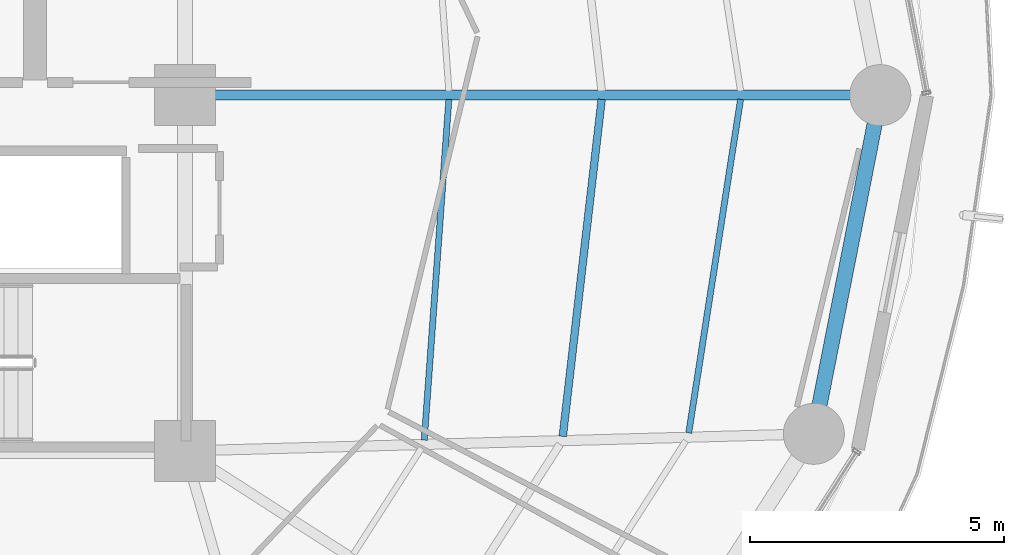
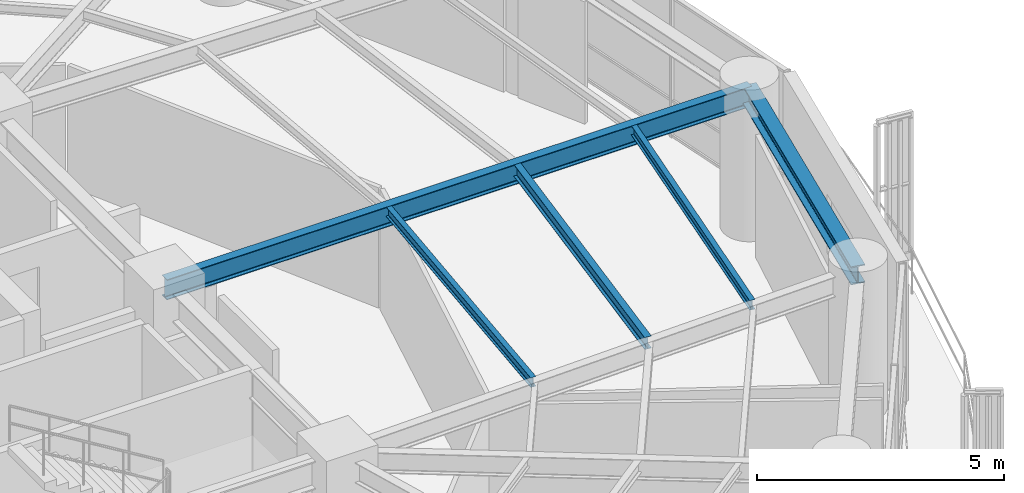
# One storey, part 12 of 28: 5 beams.
"""IFC4 building model written with IfcOpenShell, lengths in metres."""

from ifc_helpers import new_model, si_unit, direction, frame, origin, origin_2d, place, context, subcontext, project, spatial, i_section, extrude, material, material_profile, profile_set, type_object, element, save


model = new_model("IFC4")

# Units and contexts
model_context = context("Model", 3, precision=1e-05, world=origin(), true_north=direction((0.0, 1.0)))
body_context = subcontext(model_context, "Body", "Model", "MODEL_VIEW")
ifc_project = project(units=[si_unit("LENGTHUNIT", "METRE"), si_unit("AREAUNIT", "SQUARE_METRE"), si_unit("VOLUMEUNIT", "CUBIC_METRE"), si_unit("PLANEANGLEUNIT", "RADIAN"), si_unit("MASSUNIT", "GRAM", prefix="KILO")], contexts=[model_context])

# Site, building, storey
site_placement = place(None, origin())
site = spatial("IfcSite", under=ifc_project, at=site_placement, CompositionType="ELEMENT")
building_placement = place(site_placement, origin())
building = spatial("IfcBuilding", under=site, at=building_placement, Name="Kelanora Arch Commons", CompositionType="ELEMENT")
storey_placement = place(building_placement, frame((0.0, 0.0, 139.35009765625)))
storey = spatial("IfcBuildingStorey", under=building, at=storey_placement, Name="L35", CompositionType="ELEMENT", Elevation=139.35009765625)

# Beams
ifc_material = material(Name="Steel S355", Category="steel")
ifc_material_profile_1 = material_profile(ifc_material, i_section(OverallWidth=0.14990234375, OverallDepth=0.300048828125, WebThickness=0.007080078125, FlangeThickness=0.0107421875, FilletRadius=0.014892578125, at=origin_2d()), Name="IPE300")
ifc_profile_set_1 = profile_set([ifc_material_profile_1], Name="Steel S355")
beam_type_1 = type_object("IfcBeamType", Name="BM-JST-01", PredefinedType="JOIST", material=ifc_profile_set_1)
beam_1_placement = place(storey_placement, frame((89.43310546875, 51.286865234375, 3.33984375), z_axis=(0.114667159005, 0.9934039675, 0.0), x_axis=(-0.9934039675, 0.114667159005, 0.0)))
element("IfcBeam", 1, at=beam_1_placement, inside=storey, type_object=beam_type_1, Name="Secondary Chord Joist BJB-34 L35", PredefinedType="JOIST", context=body_context, shape_type="SweptSolid", body=[
    extrude(i_section(OverallWidth=0.14990234375, OverallDepth=0.300048828125, WebThickness=0.007080078125, FlangeThickness=0.0107421875, FilletRadius=0.014892578125, at=origin_2d()), origin(), (0.0, 0.0, 1.0), 6.672607421875),
])
ifc_material_profile_2 = material_profile(ifc_material, i_section(OverallWidth=0.1201171875, OverallDepth=0.239990234375, WebThickness=0.006103515625, FlangeThickness=0.009765625, FilletRadius=0.014892578125, at=origin_2d()), Name="IPE240")
ifc_profile_set_2 = profile_set([ifc_material_profile_2], Name="Steel S355")
beam_type_2 = type_object("IfcBeamType", Name="BM-JST-02", PredefinedType="JOIST", material=ifc_profile_set_2)
beam_2_placement = place(storey_placement, frame((86.707763671875, 51.212890625, 3.369873046875), z_axis=(0.072117123738, 0.997396170267, 0.0), x_axis=(-0.997396170267, 0.072117123738, 0.0)))
element("IfcBeam", 2, at=beam_2_placement, inside=storey, type_object=beam_type_2, Name="Secondary Chord Joist BJA-34 L35", PredefinedType="JOIST", context=body_context, shape_type="SweptSolid", body=[
    extrude(i_section(OverallWidth=0.1201171875, OverallDepth=0.239990234375, WebThickness=0.006103515625, FlangeThickness=0.009765625, FilletRadius=0.014892578125, at=origin_2d()), origin(), (0.0, 0.0, 1.0), 6.719970703125),
])
beam_3_placement = place(storey_placement, frame((91.9111328125, 51.35400390625, 3.369873046875), z_axis=(0.153562625853, 0.988138917329, 0.0), x_axis=(-0.988138917329, 0.153562625853, 0.0)))
element("IfcBeam", 3, at=beam_3_placement, inside=storey, type_object=beam_type_2, Name="Secondary Chord Joist BJC-34 L35", PredefinedType="JOIST", context=body_context, shape_type="SweptSolid", body=[
    extrude(i_section(OverallWidth=0.1201171875, OverallDepth=0.239990234375, WebThickness=0.006103515625, FlangeThickness=0.009765625, FilletRadius=0.014892578125, at=origin_2d()), origin(), (0.0, 0.0, 1.0), 6.640869140625),
])
ifc_material_profile_3 = material_profile(ifc_material, i_section(OverallWidth=0.199951171875, OverallDepth=0.5, WebThickness=0.01025390625, FlangeThickness=0.01611328125, FilletRadius=0.02099609375, at=origin_2d()), Name="IPE500")
ifc_profile_set_3 = profile_set([ifc_material_profile_3], Name="Steel S355")
beam_type_3 = type_object("IfcBeamType", Name="BM-RAD-Z3", PredefinedType="BEAM", material=ifc_profile_set_3)
beam_4_placement = place(storey_placement, frame((82.0, 58.0, 3.239990234375), z_axis=(1.0, 0.0, 0.0), x_axis=(0.0, 1.0, 0.0)))
element("IfcBeam", 4, at=beam_4_placement, inside=storey, type_object=beam_type_3, Name="Radial Floor Girder BR-00 L35", PredefinedType="BEAM", context=body_context, shape_type="SweptSolid", body=[
    extrude(i_section(OverallWidth=0.199951171875, OverallDepth=0.5, WebThickness=0.01025390625, FlangeThickness=0.01611328125, FilletRadius=0.02099609375, at=origin_2d()), origin(), (0.0, 0.0, 1.0), 13.679931640625),
])
ifc_material_profile_4 = material_profile(ifc_material, i_section(OverallWidth=0.300048828125, OverallDepth=0.449951171875, WebThickness=0.013916015625, FlangeThickness=0.02587890625, FilletRadius=0.027099609375, at=origin_2d()), Name="HEB450")
ifc_profile_set_4 = profile_set([ifc_material_profile_4], Name="Steel S355")
beam_type_4 = type_object("IfcBeamType", Name="BM-SPN-Z3", PredefinedType="SPANDREL", material=ifc_profile_set_4)
beam_5_placement = place(storey_placement, frame((94.37255859375, 51.33740234375, 3.264892578125), z_axis=(0.192553643556, 0.981286448675, 0.0), x_axis=(-0.981286448675, 0.192553643556, 0.0)))
element("IfcBeam", 5, at=beam_5_placement, inside=storey, type_object=beam_type_4, Name="Perimeter Spandrel Beam BS-34 L35", PredefinedType="SPANDREL", context=body_context, shape_type="SweptSolid", body=[
    extrude(i_section(OverallWidth=0.300048828125, OverallDepth=0.449951171875, WebThickness=0.013916015625, FlangeThickness=0.02587890625, FilletRadius=0.027099609375, at=origin_2d()), origin(), (0.0, 0.0, 1.0), 6.78955078125),
])

save(model, "model.ifc")
